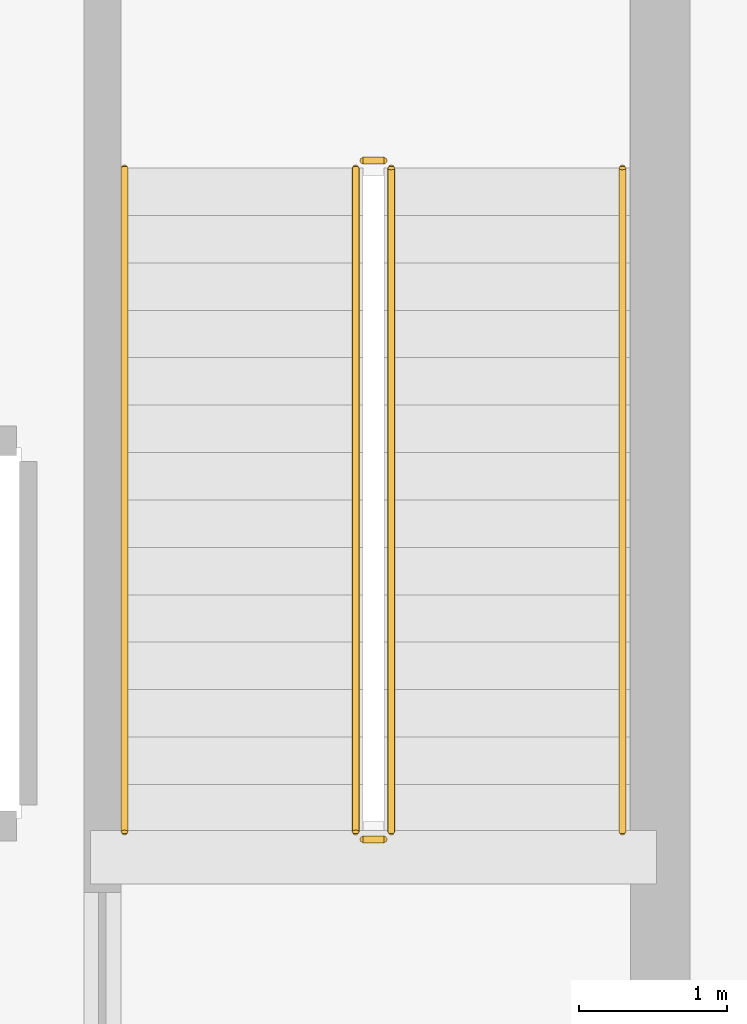
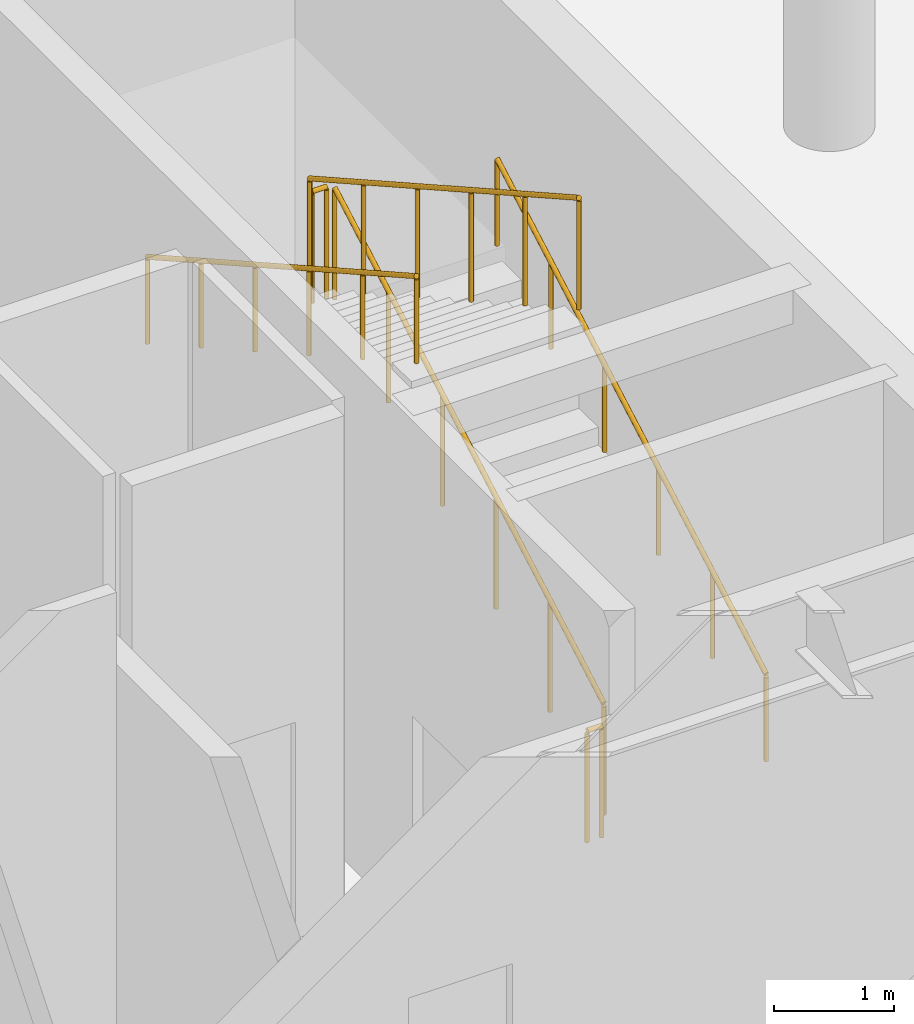
# One storey, part 14 of 16: 6 railings.
"""IFC4 building model written with IfcOpenShell, lengths in metres."""

from ifc_helpers import new_model, si_unit, direction, frame, origin, origin_2d, place, context, subcontext, project, spatial, circle, extrude, material, layer, layer_set, type_object, element, save


model = new_model("IFC4")

# Units and contexts
model_context = context("Model", 3, precision=1e-05, world=origin(), true_north=direction((0.0, 1.0)))
body_context = subcontext(model_context, "Body", "Model", "MODEL_VIEW")
ifc_project = project(units=[si_unit("LENGTHUNIT", "METRE"), si_unit("AREAUNIT", "SQUARE_METRE"), si_unit("VOLUMEUNIT", "CUBIC_METRE"), si_unit("PLANEANGLEUNIT", "RADIAN"), si_unit("MASSUNIT", "GRAM", prefix="KILO")], contexts=[model_context])

# Site, building, storey
site_placement = place(None, origin())
site = spatial("IfcSite", under=ifc_project, at=site_placement, CompositionType="ELEMENT")
building_placement = place(site_placement, origin())
building = spatial("IfcBuilding", under=site, at=building_placement, Name="Kallvorn Hotel Tower", CompositionType="ELEMENT")
storey_placement = place(building_placement, frame((0.0, 0.0, -5.39990234375)))
storey = spatial("IfcBuildingStorey", under=building, at=storey_placement, Name="B1", CompositionType="ELEMENT", Elevation=-5.39990234375)

# Railings
ifc_material_1 = material(Name="Brushed stainless-steel tubular railing", Category="steel")
ifc_layer_1 = layer(ifc_material_1, 0.050048828125)
ifc_layer_set_1 = layer_set([ifc_layer_1], Name="RL_STAIR_GUARD")
railing_type_1 = type_object("IfcRailingType", Name="RL_STAIR_GUARD", PredefinedType="GUARDRAIL", material=ifc_layer_set_1)
railing_1_placement = place(storey_placement, frame((12.449951171875, -3.139892578125, 0.179931640625)))
element("IfcRailing", 1, at=railing_1_placement, inside=storey, type_object=railing_type_1, Name="B1 ST2 stair guard 1", PredefinedType="GUARDRAIL", context=body_context, shape_type="SweptSolid", body=[
    extrude(circle(Radius=0.02392578125, at=origin_2d()), frame((0.0, 0.0, 1.1259765625), z_axis=(0.0, 0.871573000172, 0.490265749743), x_axis=(-1.0, 0.0, 0.0)), (0.0, 0.0, 1.0), 5.14013671875),
    extrude(circle(Radius=0.02099609375, at=origin_2d()), origin(), (0.0, 0.0, 1.0), 1.101806640625),
    extrude(circle(Radius=0.02099609375, at=origin_2d()), frame((0.0, 0.89599609375, 0.50390625)), (0.0, 0.0, 1.0), 1.101806640625),
    extrude(circle(Radius=0.02099609375, at=origin_2d()), frame((0.0, 1.7919921875, 1.008056640625)), (0.0, 0.0, 1.0), 1.101806640625),
    extrude(circle(Radius=0.02099609375, at=origin_2d()), frame((0.0, 2.68798828125, 1.511962890625)), (0.0, 0.0, 1.0), 1.101806640625),
    extrude(circle(Radius=0.02099609375, at=origin_2d()), frame((0.0, 3.583984375, 2.01611328125)), (0.0, 0.0, 1.0), 1.101806640625),
    extrude(circle(Radius=0.02099609375, at=origin_2d()), frame((0.0, 4.47998046875, 2.52001953125)), (0.0, 0.0, 1.0), 1.101806640625),
])
railing_2_placement = place(storey_placement, frame((12.39990234375, 1.389892578125, 2.699951171875)))
element("IfcRailing", 2, at=railing_2_placement, inside=storey, type_object=railing_type_1, Name="B1 ST2 stair guard 2", PredefinedType="GUARDRAIL", context=body_context, shape_type="SweptSolid", body=[
    extrude(circle(Radius=0.02392578125, at=origin_2d()), frame((0.0, 0.0, 1.1259765625), z_axis=(-1.0, 0.0, 0.0), x_axis=(0.0, -1.0, 0.0)), (0.0, 0.0, 1.0), 0.139892578125),
    extrude(circle(Radius=0.02099609375, at=origin_2d()), origin(), (0.0, 0.0, 1.0), 1.101806640625),
    extrude(circle(Radius=0.02099609375, at=origin_2d()), frame((-0.139892578125, 0.0, 0.0)), (0.0, 0.0, 1.0), 1.101806640625),
])
railing_3_placement = place(storey_placement, frame((12.2099609375, 1.340087890625, 2.8798828125)))
element("IfcRailing", 3, at=railing_3_placement, inside=storey, type_object=railing_type_1, Name="B1 ST2 stair guard 3", PredefinedType="GUARDRAIL", context=body_context, shape_type="SweptSolid", body=[
    extrude(circle(Radius=0.02392578125, at=origin_2d()), frame((0.0, 0.0, 1.1259765625), z_axis=(0.0, -0.871573000172, 0.490265749743), x_axis=(1.0, 0.0, 0.0)), (0.0, 0.0, 1.0), 5.14013671875),
    extrude(circle(Radius=0.02099609375, at=origin_2d()), origin(), (0.0, 0.0, 1.0), 1.101806640625),
    extrude(circle(Radius=0.02099609375, at=origin_2d()), frame((0.0, -0.89599609375, 0.50390625)), (0.0, 0.0, 1.0), 1.101806640625),
    extrude(circle(Radius=0.02099609375, at=origin_2d()), frame((0.0, -1.7919921875, 1.008056640625)), (0.0, 0.0, 1.0), 1.101806640625),
    extrude(circle(Radius=0.02099609375, at=origin_2d()), frame((0.0, -2.68798828125, 1.511962890625)), (0.0, 0.0, 1.0), 1.101806640625),
    extrude(circle(Radius=0.02099609375, at=origin_2d()), frame((0.0, -3.583984375, 2.01611328125)), (0.0, 0.0, 1.0), 1.101806640625),
    extrude(circle(Radius=0.02099609375, at=origin_2d()), frame((0.0, -4.47998046875, 2.52001953125)), (0.0, 0.0, 1.0), 1.101806640625),
])
railing_4_placement = place(storey_placement, frame((12.39990234375, -3.18994140625, 0.0)))
element("IfcRailing", 4, at=railing_4_placement, inside=storey, type_object=railing_type_1, Name="B1 ST2 stair guard 4", PredefinedType="GUARDRAIL", context=body_context, shape_type="SweptSolid", body=[
    extrude(circle(Radius=0.02392578125, at=origin_2d()), frame((0.0, 0.0, 1.1259765625), z_axis=(-1.0, 0.0, 0.0), x_axis=(0.0, -1.0, 0.0)), (0.0, 0.0, 1.0), 0.139892578125),
    extrude(circle(Radius=0.02099609375, at=origin_2d()), origin(), (0.0, 0.0, 1.0), 1.101806640625),
    extrude(circle(Radius=0.02099609375, at=origin_2d()), frame((-0.139892578125, 0.0, 0.0)), (0.0, 0.0, 1.0), 1.101806640625),
])
ifc_material_2 = material(Name="Brushed stainless-steel tubular railing", Category="steel")
ifc_layer_2 = layer(ifc_material_2, 0.050048828125)
ifc_layer_set_2 = layer_set([ifc_layer_2], Name="RL_STAIR_HAND")
railing_type_2 = type_object("IfcRailingType", Name="RL_STAIR_HAND", PredefinedType="HANDRAIL", material=ifc_layer_set_2)
railing_5_placement = place(storey_placement, frame((14.010009765625, -3.139892578125, 0.179931640625)))
element("IfcRailing", 5, at=railing_5_placement, inside=storey, type_object=railing_type_2, Name="B1 ST2 stair handrail 1", PredefinedType="HANDRAIL", context=body_context, shape_type="SweptSolid", body=[
    extrude(circle(Radius=0.02392578125, at=origin_2d()), frame((0.0, 0.0, 0.8759765625), z_axis=(0.0, 0.871573000172, 0.490265749743), x_axis=(-1.0, 0.0, 0.0)), (0.0, 0.0, 1.0), 5.14013671875),
    extrude(circle(Radius=0.02099609375, at=origin_2d()), origin(), (0.0, 0.0, 1.0), 0.851806640625),
    extrude(circle(Radius=0.02099609375, at=origin_2d()), frame((0.0, 0.89599609375, 0.50390625)), (0.0, 0.0, 1.0), 0.851806640625),
    extrude(circle(Radius=0.02099609375, at=origin_2d()), frame((0.0, 1.7919921875, 1.008056640625)), (0.0, 0.0, 1.0), 0.851806640625),
    extrude(circle(Radius=0.02099609375, at=origin_2d()), frame((0.0, 2.68798828125, 1.511962890625)), (0.0, 0.0, 1.0), 0.851806640625),
    extrude(circle(Radius=0.02099609375, at=origin_2d()), frame((0.0, 3.583984375, 2.01611328125)), (0.0, 0.0, 1.0), 0.851806640625),
    extrude(circle(Radius=0.02099609375, at=origin_2d()), frame((0.0, 4.47998046875, 2.52001953125)), (0.0, 0.0, 1.0), 0.851806640625),
])
railing_6_placement = place(storey_placement, frame((10.64990234375, 1.340087890625, 2.8798828125)))
element("IfcRailing", 6, at=railing_6_placement, inside=storey, type_object=railing_type_2, Name="B1 ST2 stair handrail 2", PredefinedType="HANDRAIL", context=body_context, shape_type="SweptSolid", body=[
    extrude(circle(Radius=0.02392578125, at=origin_2d()), frame((0.0, 0.0, 0.8759765625), z_axis=(0.0, -0.871573000172, 0.490265749743), x_axis=(1.0, 0.0, 0.0)), (0.0, 0.0, 1.0), 5.14013671875),
    extrude(circle(Radius=0.02099609375, at=origin_2d()), origin(), (0.0, 0.0, 1.0), 0.851806640625),
    extrude(circle(Radius=0.02099609375, at=origin_2d()), frame((0.0, -0.89599609375, 0.50390625)), (0.0, 0.0, 1.0), 0.851806640625),
    extrude(circle(Radius=0.02099609375, at=origin_2d()), frame((0.0, -1.7919921875, 1.008056640625)), (0.0, 0.0, 1.0), 0.851806640625),
    extrude(circle(Radius=0.02099609375, at=origin_2d()), frame((0.0, -2.68798828125, 1.511962890625)), (0.0, 0.0, 1.0), 0.851806640625),
    extrude(circle(Radius=0.02099609375, at=origin_2d()), frame((0.0, -3.583984375, 2.01611328125)), (0.0, 0.0, 1.0), 0.851806640625),
    extrude(circle(Radius=0.02099609375, at=origin_2d()), frame((0.0, -4.47998046875, 2.52001953125)), (0.0, 0.0, 1.0), 0.851806640625),
])

save(model, "model.ifc")
